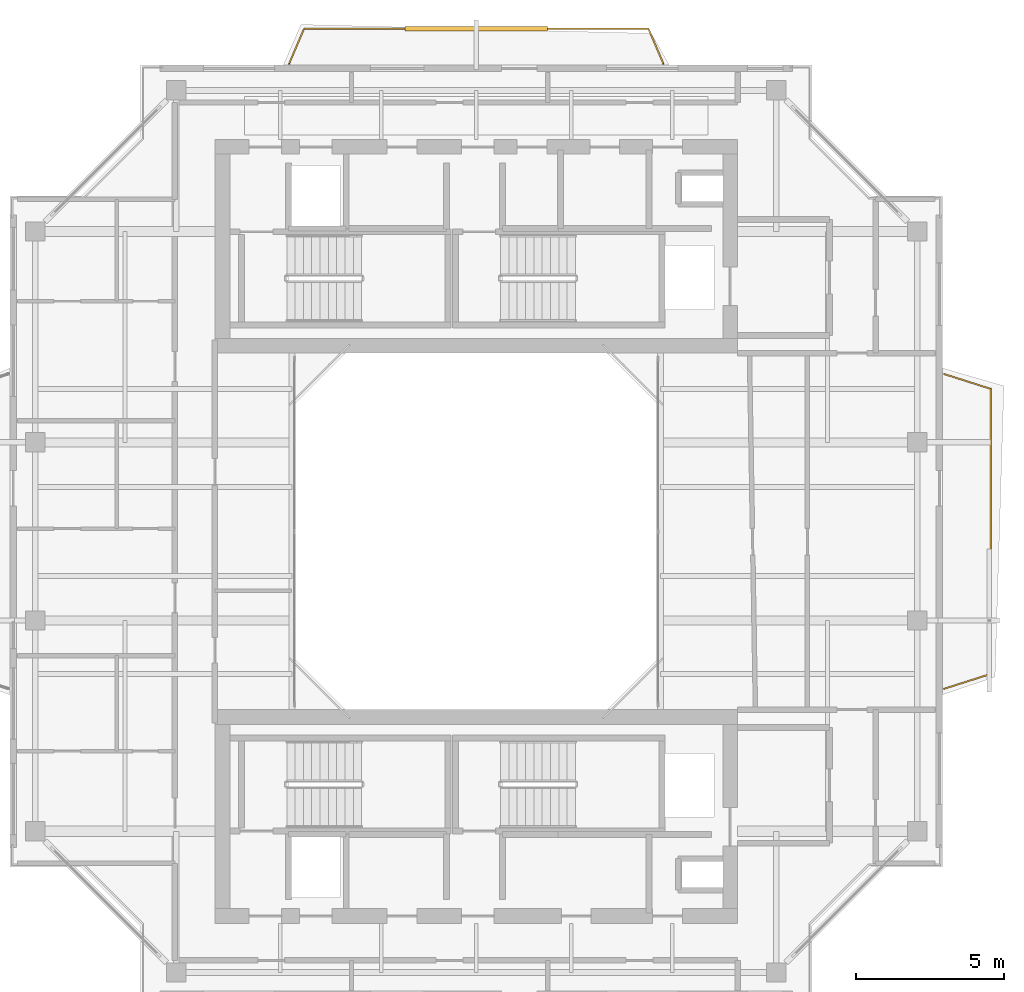
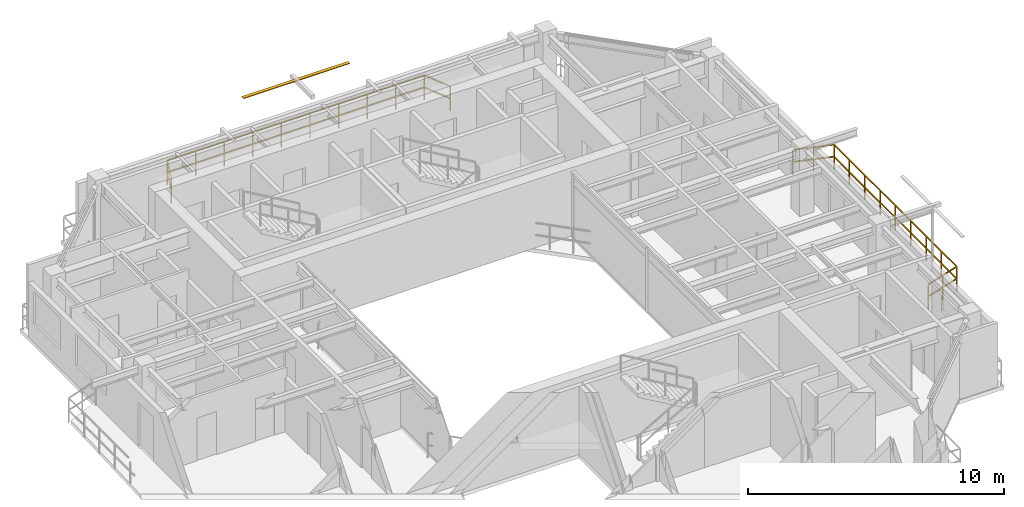
# One storey, part 15 of 15: 2 railings, 1 shading device.
"""IFC4 building model written with IfcOpenShell, lengths in metres."""

from ifc_helpers import new_model, si_unit, direction, frame, origin, origin_2d, place, context, subcontext, project, spatial, rectangle, extrude, source, transform, mapped, material, material_profile, profile_set, type_object, element, save


model = new_model("IFC4")

# Units and contexts
model_context = context("Model", 3, precision=1e-05, world=origin(), true_north=direction((0.0, 1.0)))
body_context = subcontext(model_context, "Body", "Model", "MODEL_VIEW")
ifc_project = project(units=[si_unit("LENGTHUNIT", "METRE"), si_unit("AREAUNIT", "SQUARE_METRE"), si_unit("VOLUMEUNIT", "CUBIC_METRE"), si_unit("PLANEANGLEUNIT", "RADIAN"), si_unit("MASSUNIT", "GRAM", prefix="KILO"), si_unit("THERMODYNAMICTEMPERATUREUNIT", "KELVIN"), si_unit("POWERUNIT", "WATT")], contexts=[model_context])

# Site, building, storey
site_placement = place(None, origin())
site = spatial("IfcSite", under=ifc_project, at=site_placement, CompositionType="ELEMENT")
building_placement = place(site_placement, origin())
building = spatial("IfcBuilding", under=site, at=building_placement, Name="Qiaomeng Ring Towers", CompositionType="ELEMENT")
storey_placement = place(building_placement, frame((0.0, 0.0, 256.75)))
storey = spatial("IfcBuildingStorey", under=building, at=storey_placement, Name="L75", CompositionType="ELEMENT", Elevation=256.75)

# Railings
ifc_material_1 = material(Name="Low-E pale-green laminated safety glass", Category="glass")
railing_type = type_object("IfcRailingType", Name="ARC-RL-BAL1", PredefinedType="BALUSTRADE", material=ifc_material_1)
railing_1_placement = place(storey_placement, frame((34.75, 17.699951171875, 0.0)))
element("IfcRailing", 1, at=railing_1_placement, inside=storey, type_object=railing_type, Name="L75 Balustrade ARC-BAL-L75-T1-E", PredefinedType="BALUSTRADE", context=body_context, shape_type="SweptSolid", body=[
    extrude(rectangle(XDim=0.048095703125, YDim=0.048095703125, at=origin_2d()), frame((0.0, 0.0, 1.17578125), z_axis=(0.952849860715, 0.303442157479, 0.0), x_axis=(-0.303442157479, 0.952849860715, 0.0)), (0.0, 0.0, 1.0), 1.647705078125),
    extrude(rectangle(XDim=0.048095703125, YDim=0.048095703125, at=origin_2d()), frame((0.0, 0.0, 0.60009765625), z_axis=(0.952849860715, 0.303442157479, 0.0), x_axis=(-0.303442157479, 0.952849860715, 0.0)), (0.0, 0.0, 1.0), 1.647705078125),
    extrude(rectangle(XDim=0.048095703125, YDim=0.048095703125, at=origin_2d()), frame((1.570068359375, 0.5, 1.17578125), z_axis=(0.0, 1.0, 0.0), x_axis=(-1.0, 0.0, 0.0)), (0.0, 0.0, 1.0), 9.60009765625),
    extrude(rectangle(XDim=0.048095703125, YDim=0.048095703125, at=origin_2d()), frame((1.570068359375, 0.5, 0.60009765625), z_axis=(0.0, 1.0, 0.0), x_axis=(-1.0, 0.0, 0.0)), (0.0, 0.0, 1.0), 9.60009765625),
    extrude(rectangle(XDim=0.048095703125, YDim=0.048095703125, at=origin_2d()), frame((1.570068359375, 10.10009765625, 1.17578125), z_axis=(-0.952849860715, 0.303442157479, 0.0), x_axis=(-0.303442157479, -0.952849860715, 0.0)), (0.0, 0.0, 1.0), 1.647705078125),
    extrude(rectangle(XDim=0.048095703125, YDim=0.048095703125, at=origin_2d()), frame((1.570068359375, 10.10009765625, 0.60009765625), z_axis=(-0.952849860715, 0.303442157479, 0.0), x_axis=(-0.303442157479, -0.952849860715, 0.0)), (0.0, 0.0, 1.0), 1.647705078125),
    extrude(rectangle(XDim=0.0419921875, YDim=0.0419921875, at=origin_2d()), origin(), (0.0, 0.0, 1.0), 1.15185546875),
    extrude(rectangle(XDim=0.0419921875, YDim=0.0419921875, at=origin_2d()), frame((0.78515625, 0.25, 0.0)), (0.0, 0.0, 1.0), 1.15185546875),
    extrude(rectangle(XDim=0.0419921875, YDim=0.0419921875, at=origin_2d()), frame((1.570068359375, 0.5, 0.0)), (0.0, 0.0, 1.0), 1.15185546875),
    extrude(rectangle(XDim=0.0419921875, YDim=0.0419921875, at=origin_2d()), frame((1.570068359375, 1.699951171875, 0.0)), (0.0, 0.0, 1.0), 1.15185546875),
    extrude(rectangle(XDim=0.0419921875, YDim=0.0419921875, at=origin_2d()), frame((1.570068359375, 2.89990234375, 0.0)), (0.0, 0.0, 1.0), 1.15185546875),
    extrude(rectangle(XDim=0.0419921875, YDim=0.0419921875, at=origin_2d()), frame((1.570068359375, 4.10009765625, 0.0)), (0.0, 0.0, 1.0), 1.15185546875),
    extrude(rectangle(XDim=0.0419921875, YDim=0.0419921875, at=origin_2d()), frame((1.570068359375, 5.300048828125, 0.0)), (0.0, 0.0, 1.0), 1.15185546875),
    extrude(rectangle(XDim=0.0419921875, YDim=0.0419921875, at=origin_2d()), frame((1.570068359375, 6.5, 0.0)), (0.0, 0.0, 1.0), 1.15185546875),
    extrude(rectangle(XDim=0.0419921875, YDim=0.0419921875, at=origin_2d()), frame((1.570068359375, 7.7001953125, 0.0)), (0.0, 0.0, 1.0), 1.15185546875),
    extrude(rectangle(XDim=0.0419921875, YDim=0.0419921875, at=origin_2d()), frame((1.570068359375, 8.900146484375, 0.0)), (0.0, 0.0, 1.0), 1.15185546875),
    extrude(rectangle(XDim=0.0419921875, YDim=0.0419921875, at=origin_2d()), frame((1.570068359375, 10.10009765625, 0.0)), (0.0, 0.0, 1.0), 1.15185546875),
    extrude(rectangle(XDim=0.0419921875, YDim=0.0419921875, at=origin_2d()), frame((0.78515625, 10.35009765625, 0.0)), (0.0, 0.0, 1.0), 1.15185546875),
    extrude(rectangle(XDim=0.0419921875, YDim=0.0419921875, at=origin_2d()), frame((0.0, 10.60009765625, 0.0)), (0.0, 0.0, 1.0), 1.15185546875),
])
railing_2_placement = place(storey_placement, frame((12.699951171875, 38.75, 0.0)))
element("IfcRailing", 2, at=railing_2_placement, inside=storey, type_object=railing_type, Name="L75 Balustrade ARC-BAL-L75-T1-N", PredefinedType="BALUSTRADE", context=body_context, shape_type="SweptSolid", body=[
    extrude(rectangle(XDim=0.048095703125, YDim=0.048095703125, at=origin_2d()), frame((0.0, 0.0, 1.17578125), z_axis=(0.39299272826, 0.919541579014, 0.0), x_axis=(-0.919541579014, 0.39299272826, 0.0)), (0.0, 0.0, 1.0), 1.272216796875),
    extrude(rectangle(XDim=0.048095703125, YDim=0.048095703125, at=origin_2d()), frame((0.0, 0.0, 0.60009765625), z_axis=(0.39299272826, 0.919541579014, 0.0), x_axis=(-0.919541579014, 0.39299272826, 0.0)), (0.0, 0.0, 1.0), 1.272216796875),
    extrude(rectangle(XDim=0.048095703125, YDim=0.048095703125, at=origin_2d()), frame((0.5, 1.169921875, 1.17578125), z_axis=(1.0, 0.0, 0.0), x_axis=(0.0, 1.0, 0.0)), (0.0, 0.0, 1.0), 11.60009765625),
    extrude(rectangle(XDim=0.048095703125, YDim=0.048095703125, at=origin_2d()), frame((0.5, 1.169921875, 0.60009765625), z_axis=(1.0, 0.0, 0.0), x_axis=(0.0, 1.0, 0.0)), (0.0, 0.0, 1.0), 11.60009765625),
    extrude(rectangle(XDim=0.048095703125, YDim=0.048095703125, at=origin_2d()), frame((12.10009765625, 1.169921875, 1.17578125), z_axis=(0.39299272826, -0.919541579014, 0.0), x_axis=(0.919541579014, 0.39299272826, 0.0)), (0.0, 0.0, 1.0), 1.272216796875),
    extrude(rectangle(XDim=0.048095703125, YDim=0.048095703125, at=origin_2d()), frame((12.10009765625, 1.169921875, 0.60009765625), z_axis=(0.39299272826, -0.919541579014, 0.0), x_axis=(0.919541579014, 0.39299272826, 0.0)), (0.0, 0.0, 1.0), 1.272216796875),
    extrude(rectangle(XDim=0.0419921875, YDim=0.0419921875, at=origin_2d()), origin(), (0.0, 0.0, 1.0), 1.15185546875),
    extrude(rectangle(XDim=0.0419921875, YDim=0.0419921875, at=origin_2d()), frame((0.5, 1.169921875, 0.0)), (0.0, 0.0, 1.0), 1.15185546875),
    extrude(rectangle(XDim=0.0419921875, YDim=0.0419921875, at=origin_2d()), frame((1.788818359375, 1.169921875, 0.0)), (0.0, 0.0, 1.0), 1.15185546875),
    extrude(rectangle(XDim=0.0419921875, YDim=0.0419921875, at=origin_2d()), frame((3.077880859375, 1.169921875, 0.0)), (0.0, 0.0, 1.0), 1.15185546875),
    extrude(rectangle(XDim=0.0419921875, YDim=0.0419921875, at=origin_2d()), frame((4.36669921875, 1.169921875, 0.0)), (0.0, 0.0, 1.0), 1.15185546875),
    extrude(rectangle(XDim=0.0419921875, YDim=0.0419921875, at=origin_2d()), frame((5.655517578125, 1.169921875, 0.0)), (0.0, 0.0, 1.0), 1.15185546875),
    extrude(rectangle(XDim=0.0419921875, YDim=0.0419921875, at=origin_2d()), frame((6.944580078125, 1.169921875, 0.0)), (0.0, 0.0, 1.0), 1.15185546875),
    extrude(rectangle(XDim=0.0419921875, YDim=0.0419921875, at=origin_2d()), frame((8.2333984375, 1.169921875, 0.0)), (0.0, 0.0, 1.0), 1.15185546875),
    extrude(rectangle(XDim=0.0419921875, YDim=0.0419921875, at=origin_2d()), frame((9.522216796875, 1.169921875, 0.0)), (0.0, 0.0, 1.0), 1.15185546875),
    extrude(rectangle(XDim=0.0419921875, YDim=0.0419921875, at=origin_2d()), frame((10.811279296875, 1.169921875, 0.0)), (0.0, 0.0, 1.0), 1.15185546875),
    extrude(rectangle(XDim=0.0419921875, YDim=0.0419921875, at=origin_2d()), frame((12.10009765625, 1.169921875, 0.0)), (0.0, 0.0, 1.0), 1.15185546875),
    extrude(rectangle(XDim=0.0419921875, YDim=0.0419921875, at=origin_2d()), frame((12.60009765625, 0.0, 0.0)), (0.0, 0.0, 1.0), 1.15185546875),
])

# Shading device
ifc_material_2 = material(Name="Fluorocarbon dark-grey aluminium", Category="aluminium")
ifc_material_profile = material_profile(ifc_material_2, rectangle(XDim=0.14990234375, YDim=0.034912109375, at=origin_2d()), Name="LV BLADE 150x35")
ifc_profile_set = profile_set([ifc_material_profile], Name="Fluorocarbon dark-grey aluminium")
shading_device_type = type_object("IfcShadingDeviceType", Name="ARC-SHD-SUN", PredefinedType="AWNING", material=ifc_profile_set)
shared_shape = source(origin(), body_context, "Body", "SweptSolid", [
    extrude(rectangle(XDim=0.14990234375, YDim=0.034912109375, at=origin_2d()), origin(), (0.0, 0.0, 1.0), 4.7998046875),
])
shading_device_placement = place(storey_placement, frame((16.60009765625, 39.919921875, 2.969970703125), z_axis=(1.0, 0.0, 0.0), x_axis=(0.0, 1.0, 0.0)))
element("IfcShadingDevice", 3, at=shading_device_placement, inside=storey, type_object=shading_device_type, Name="L75 Ventilated Outer-Skin Sunshade N", PredefinedType="AWNING", context=body_context, shape_type="MappedRepresentation", body=[
    mapped(shared_shape, transform((0.0, 0.0, 0.0), x_axis=(1.0, 0.0, 0.0), y_axis=(0.0, 1.0, 0.0), z_axis=(0.0, 0.0, 1.0), scale=1.0)),
])

save(model, "model.ifc")
